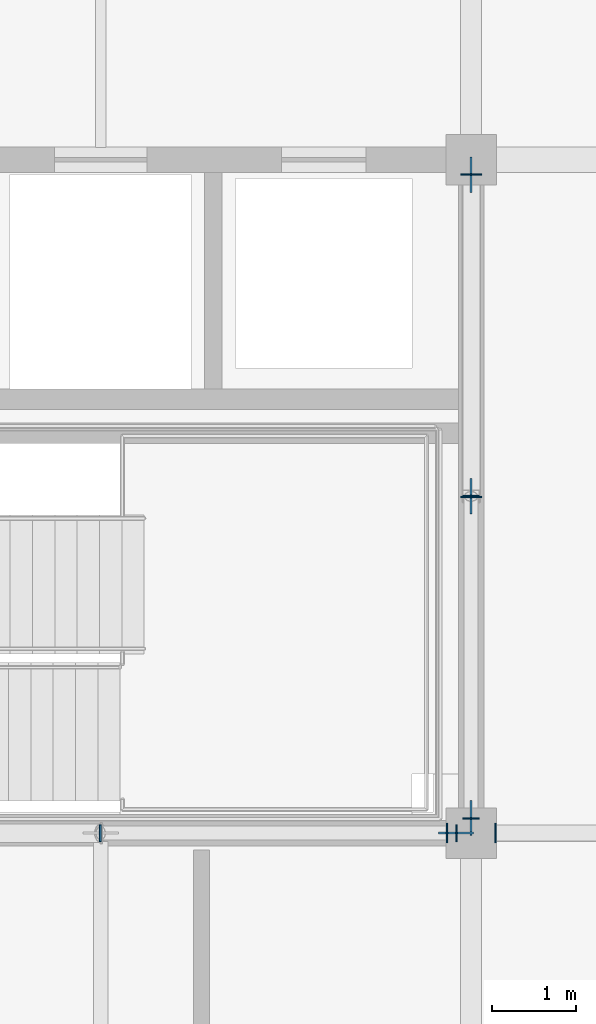
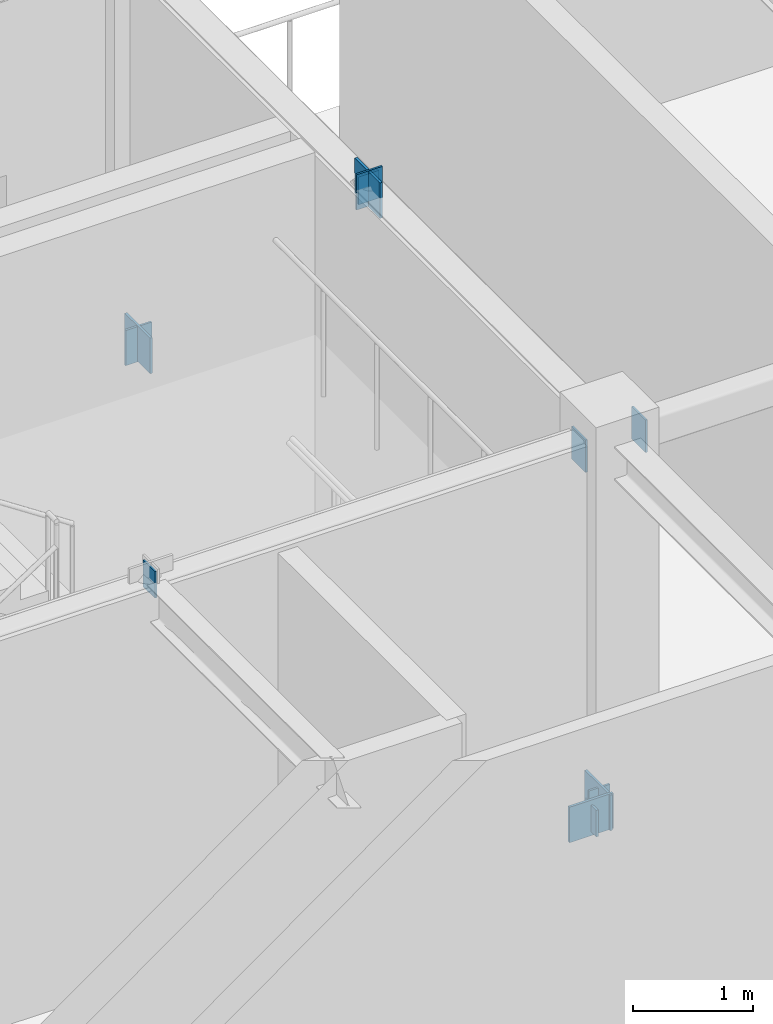
# One storey, part 30 of 45: 12 plates.
"""IFC4 building model written with IfcOpenShell, lengths in metres."""

from ifc_helpers import new_model, si_unit, direction, frame, origin, origin_2d, place, context, subcontext, project, spatial, rectangle, extrude, material, layer, layer_set, type_object, element, save


model = new_model("IFC4")

# Units and contexts
model_context = context("Model", 3, precision=1e-05, world=origin(), true_north=direction((0.0, 1.0)))
body_context = subcontext(model_context, "Body", "Model", "MODEL_VIEW")
ifc_project = project(units=[si_unit("LENGTHUNIT", "METRE"), si_unit("AREAUNIT", "SQUARE_METRE"), si_unit("VOLUMEUNIT", "CUBIC_METRE"), si_unit("PLANEANGLEUNIT", "RADIAN"), si_unit("MASSUNIT", "GRAM", prefix="KILO")], contexts=[model_context])

# Site, building, storey
site_placement = place(None, origin())
site = spatial("IfcSite", under=ifc_project, at=site_placement, CompositionType="ELEMENT")
building_placement = place(site_placement, origin())
building = spatial("IfcBuilding", under=site, at=building_placement, Name="Zhaolan Boulevard Law Courts", CompositionType="ELEMENT")
storey_placement = place(building_placement, frame((0.0, 0.0, 24.60009765625)))
storey = spatial("IfcBuildingStorey", under=building, at=storey_placement, Name="L05", CompositionType="ELEMENT", Elevation=24.60009765625)

# Plates
ifc_material_1 = material(Name="Structural steel Q355B", Category="steel")
ifc_layer_1 = layer(ifc_material_1, 0.02392578125)
ifc_layer_set_1 = layer_set([ifc_layer_1])
plate_type_1 = type_object("IfcPlateType", Name="BRACE GUSSET PLATE 24", PredefinedType="SHEET", material=ifc_layer_set_1)
for number, where, z_axis, x_axis, name in (
    (1, (26.219970703125, 46.0, -0.150390625), (0.0, 0.0, 1.0), (1.0, 0.0, 0.0), "Brace Gusset Connection Plate GP-W1-L05-SA2"),
    (2, (26.39990234375, 46.179931640625, -0.150390625), (0.0, 0.0, 1.0), (0.0, 1.0, 0.0), "Brace Gusset Connection Plate GP-W1-L05-EA1"),
    (3, (26.39990234375, 53.820068359375, -0.150390625), (0.0, 0.0, 1.0), (0.0, 1.0, 0.0), "Brace Gusset Connection Plate GP-W1-L05-EA2"),
    (4, (26.39990234375, 50.0, 3.73974609375), (0.0, 0.0, 1.0), (0.0, 1.0, 0.0), "Brace Gusset Connection Plate GP-W1-L05-EAPX"),
):
    element("IfcPlate", number, at=place(storey_placement, frame(where, z_axis=z_axis, x_axis=x_axis)), inside=storey, type_object=plate_type_1, Name=name, PredefinedType="SHEET", context=body_context, shape_type="SweptSolid", body=[
        extrude(rectangle(XDim=0.419921875, YDim=0.02392578125, at=origin_2d()), origin(), (0.0, 0.0, 1.0), 0.360107421875),
    ])
ifc_material_2 = material(Name="Structural steel Q355B", Category="steel")
ifc_layer_2 = layer(ifc_material_2, 0.02001953125)
ifc_layer_set_2 = layer_set([ifc_layer_2])
plate_type_2 = type_object("IfcPlateType", Name="END CAP PLATE 20", PredefinedType="SHEET", material=ifc_layer_set_2)
for number, where, z_axis, x_axis, name in (
    (5, (26.112060546875, 46.0, 3.6328125), (0.0, 0.0, 1.0), (1.0, 0.0, 0.0), "Hollow Section End-Cap Plate ECP-0994"),
    (6, (26.68798828125, 46.0, 3.6328125), (0.0, 0.0, 1.0), (1.0, 0.0, 0.0), "Hollow Section End-Cap Plate ECP-0995"),
):
    element("IfcPlate", number, at=place(storey_placement, frame(where, z_axis=z_axis, x_axis=x_axis)), inside=storey, type_object=plate_type_2, Name=name, PredefinedType="SHEET", context=body_context, shape_type="SweptSolid", body=[
        extrude(rectangle(XDim=0.02001953125, YDim=0.22998046875, at=origin_2d()), origin(), (0.0, 0.0, 1.0), 0.330078125),
    ])
for number, where, z_axis, x_axis, name in (
    (7, (26.225830078125, 46.0, -0.110107421875), (0.0, 0.0, 1.0), (-1.0, 0.0, 0.0), "Hollow Section End-Cap Plate ECP-1097"),
    (8, (21.994140625, 46.0, 3.790771484375), (0.0, 0.0, 1.0), (-1.0, 0.0, 0.0), "Hollow Section End-Cap Plate ECP-1098"),
):
    element("IfcPlate", number, at=place(storey_placement, frame(where, z_axis=z_axis, x_axis=x_axis)), inside=storey, type_object=plate_type_2, Name=name, PredefinedType="SHEET", context=body_context, shape_type="SweptSolid", body=[
        extrude(rectangle(XDim=0.02001953125, YDim=0.197998046875, at=origin_2d()), origin(), (0.0, 0.0, 1.0), 0.26904296875),
    ])
for number, where, z_axis, x_axis, name in (
    (9, (26.39990234375, 46.17431640625, -0.1171875), (0.0, 0.0, 1.0), (0.0, 1.0, 0.0), "Hollow Section End-Cap Plate ECP-1099"),
    (10, (26.39990234375, 50.005615234375, 3.7841796875), (0.0, 0.0, 1.0), (0.0, 1.0, 0.0), "Hollow Section End-Cap Plate ECP-1100"),
):
    element("IfcPlate", number, at=place(storey_placement, frame(where, z_axis=z_axis, x_axis=x_axis)), inside=storey, type_object=plate_type_2, Name=name, PredefinedType="SHEET", context=body_context, shape_type="SweptSolid", body=[
        extrude(rectangle(XDim=0.02001953125, YDim=0.197998046875, at=origin_2d()), origin(), (0.0, 0.0, 1.0), 0.282958984375),
    ])
for number, where, z_axis, x_axis, name in (
    (11, (26.39990234375, 53.82568359375, -0.154296875), (0.0, 0.0, 1.0), (0.0, -1.0, 0.0), "Hollow Section End-Cap Plate ECP-1101"),
    (12, (26.39990234375, 49.994384765625, 3.7470703125), (0.0, 0.0, 1.0), (0.0, -1.0, 0.0), "Hollow Section End-Cap Plate ECP-1102"),
):
    element("IfcPlate", number, at=place(storey_placement, frame(where, z_axis=z_axis, x_axis=x_axis)), inside=storey, type_object=plate_type_2, Name=name, PredefinedType="SHEET", context=body_context, shape_type="SweptSolid", body=[
        extrude(rectangle(XDim=0.02001953125, YDim=0.25, at=origin_2d()), origin(), (0.0, 0.0, 1.0), 0.35693359375),
    ])

save(model, "model.ifc")
